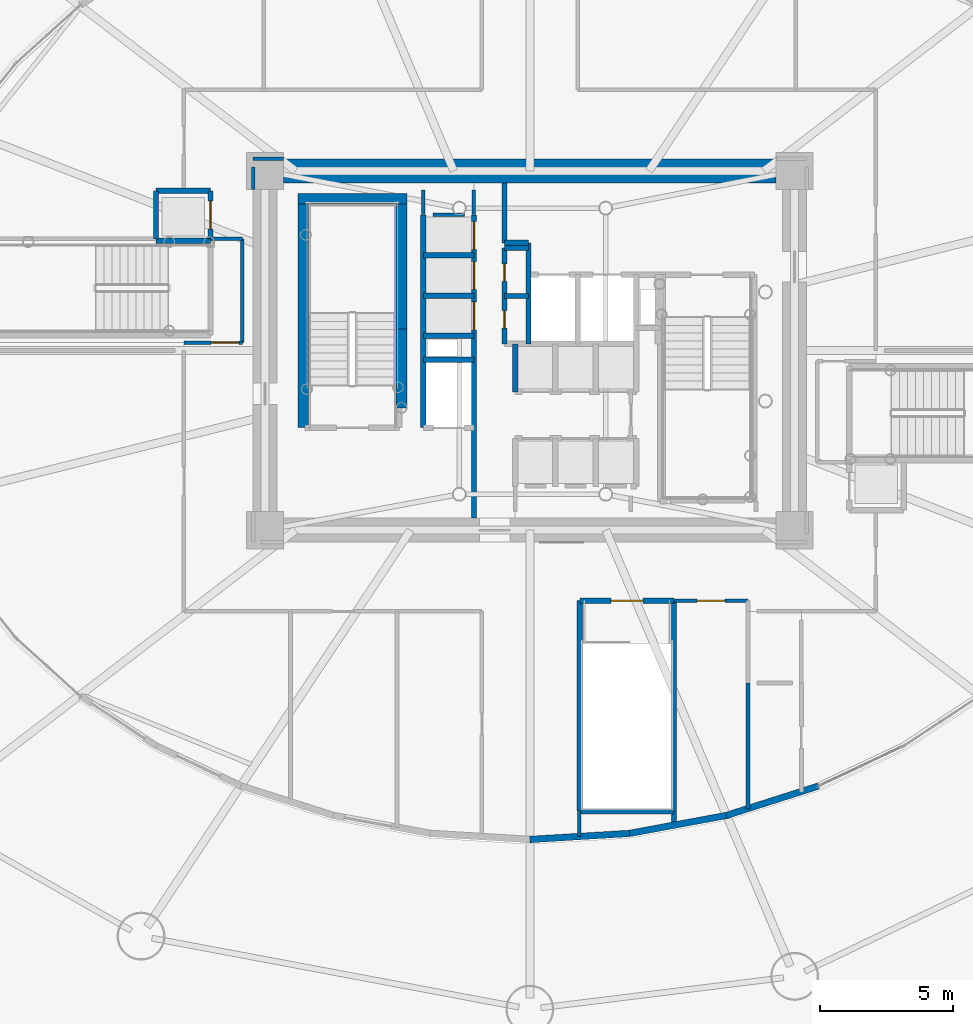
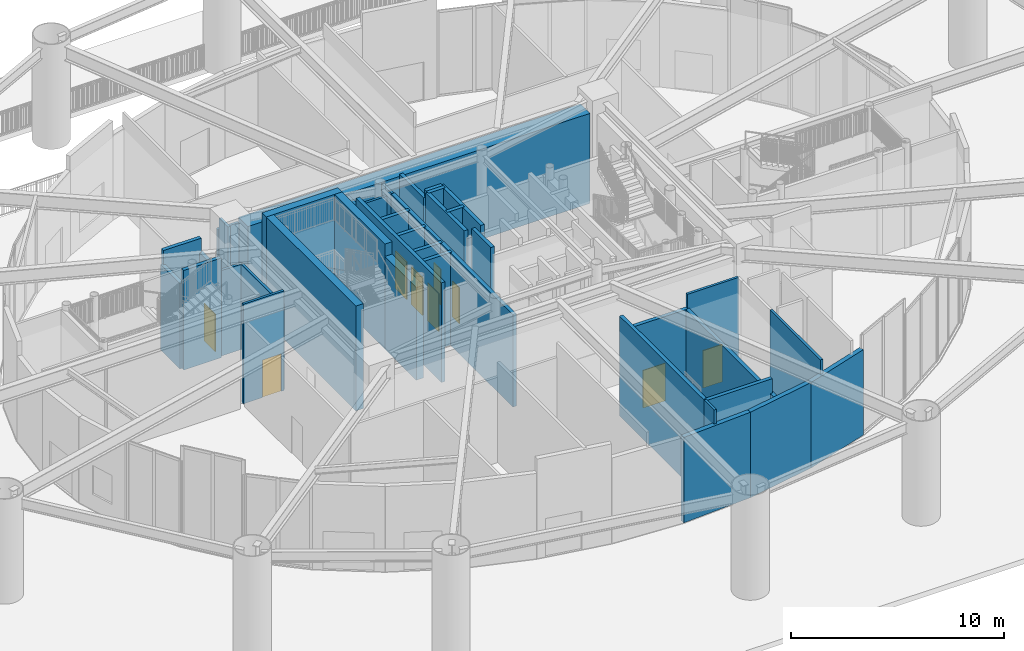
# One storey, part 30 of 46: 40 walls, 9 doors, 9 openings.
"""IFC4 building model written with IfcOpenShell, lengths in metres."""

from ifc_helpers import new_model, si_unit, direction, frame, frame_2d, origin, origin_2d, place, context, subcontext, project, spatial, rectangle, extrude, source, transform, mapped, material, layer, layer_set, type_object, element, fill, save


model = new_model("IFC4")

# Units and contexts
model_context = context("Model", 3, precision=1e-05, world=origin(), true_north=direction((0.0, 1.0)))
body_context = subcontext(model_context, "Body", "Model", "MODEL_VIEW")
ifc_project = project(units=[si_unit("LENGTHUNIT", "METRE"), si_unit("AREAUNIT", "SQUARE_METRE"), si_unit("VOLUMEUNIT", "CUBIC_METRE"), si_unit("PLANEANGLEUNIT", "RADIAN"), si_unit("MASSUNIT", "GRAM", prefix="KILO")], contexts=[model_context])

# Site, building, storey
site_placement = place(None, origin())
site = spatial("IfcSite", under=ifc_project, at=site_placement, CompositionType="ELEMENT")
building_placement = place(site_placement, origin())
building = spatial("IfcBuilding", under=site, at=building_placement, Name="Linh Dai School and Residence Tower", CompositionType="ELEMENT")
storey_placement = place(building_placement, origin())
storey = spatial("IfcBuildingStorey", under=building, at=storey_placement, Name="L00", CompositionType="ELEMENT", Elevation=0.0)

# Walls
ifc_material_1 = material(Name="Precast Concrete B45 (C35/45)", Category="concrete")
ifc_layer_1 = layer(ifc_material_1, 0.25)
ifc_layer_set_1 = layer_set([ifc_layer_1], Name="Precast Concrete B45 (C35/45)")
wall_type_1 = type_object("IfcWallType", Name="EW-TC-250", PredefinedType="SOLIDWALL", material=ifc_layer_set_1)
wall_1_placement = place(storey_placement, frame((39.7392578125, 8.851806640625, 0.0), z_axis=(0.0, 0.0, 1.0), x_axis=(-0.99816551411, -0.060544251933, 0.0)))
element("IfcWall", 1, at=wall_1_placement, inside=storey, type_object=wall_type_1, Name="L00 Terracotta Exterior Wall 31", PredefinedType="SOLIDWALL", context=body_context, shape_type="SweptSolid", body=[
    extrude(rectangle(XDim=3.74609375, YDim=0.25, at=frame_2d((1.873046875, 0.0))), origin(), (0.0, 0.0, 1.0), 4.885009765625),
])
wall_2_placement = place(storey_placement, frame((43.385986328125, 9.526611328125, 0.0), z_axis=(0.0, 0.0, 1.0), x_axis=(-0.983306878602, -0.181954891374, 0.0)))
element("IfcWall", 2, at=wall_2_placement, inside=storey, type_object=wall_type_1, Name="L00 Terracotta Exterior Wall 32", PredefinedType="SOLIDWALL", context=body_context, shape_type="SweptSolid", body=[
    extrude(rectangle(XDim=3.708740234375, YDim=0.25, at=frame_2d((1.8544921875, 0.0))), origin(), (0.0, 0.0, 1.0), 4.885009765625),
])
wall_3_placement = place(storey_placement, frame((46.85009765625, 10.6328125, 0.0), z_axis=(0.0, 0.0, 1.0), x_axis=(-0.952608721119, -0.304198330777, 0.0)))
element("IfcWall", 3, at=wall_3_placement, inside=storey, type_object=wall_type_1, Name="L00 Terracotta Exterior Wall 33", PredefinedType="SOLIDWALL", context=body_context, shape_type="SweptSolid", body=[
    extrude(rectangle(XDim=3.636474609375, YDim=0.25, at=frame_2d((1.818359375, 0.0))), origin(), (0.0, 0.0, 1.0), 4.885009765625),
])

# Wall, opening, door
ifc_material_2 = material(Name="Autoclaved Aerated Concrete Blockwork", Category="masonry")
ifc_layer_2 = layer(ifc_material_2, 0.135009765625)
ifc_layer_set_2 = layer_set([ifc_layer_2], Name="Autoclaved Aerated Concrete Blockwork")
wall_type_2 = type_object("IfcWallType", Name="IW-CORR-135-EI90", PredefinedType="PARTITIONING", material=ifc_layer_set_2)
wall_4_placement = place(storey_placement, frame((23.0, 27.300048828125, 0.0), z_axis=(0.0, 0.0, 1.0), x_axis=(1.0, 0.0, 0.0)))
wall_4 = element("IfcWall", 4, at=wall_4_placement, inside=storey, type_object=wall_type_2, Name="L00 Interior Partition Wall 009", PredefinedType="PARTITIONING", context=body_context, shape_type="SweptSolid", body=[
    extrude(rectangle(XDim=2.199951171875, YDim=0.135009765625, at=frame_2d((1.10009765625, 0.0))), origin(), (0.0, 0.0, 1.0), 5.699951171875),
])
opening_1_placement = place(wall_4_placement, frame((1.02099609375, 0.0, 0.0)))
opening_1 = element("IfcOpeningElement", 5, at=opening_1_placement, cuts=wall_4, Name="Opening D04", PredefinedType="OPENING", context=body_context, shape_type="SweptSolid", body=[
    extrude(rectangle(XDim=1.050048828125, YDim=2.14990234375, at=origin_2d()), frame((0.52490234375, 0.07763671875, 1.074951171875), z_axis=(0.0, -1.0, 0.0), x_axis=(1.0, 0.0, 0.0)), (0.0, 0.0, 1.0), 0.155029296875),
])
ifc_material_3 = material(Name="Acoustic Vision-Panel Timber Classroom Door", Category="wood")
door_type_1 = type_object("IfcDoorType", Name="DR-SCH-1050x2150-FD60S", OperationType="NOTDEFINED", PredefinedType="DOOR", material=ifc_material_3)
shared_shape_1 = source(origin(), body_context, "Body", "SweptSolid", [
    extrude(rectangle(XDim=1.050048828125, YDim=2.14990234375, at=origin_2d()), frame((0.52490234375, 0.02490234375, 1.074951171875), z_axis=(0.0, -1.0, 0.0), x_axis=(1.0, 0.0, 0.0)), (0.0, 0.0, 1.0), 0.050048828125),
])
door_1_placement = place(opening_1_placement, origin())
door_1 = element("IfcDoor", 6, at=door_1_placement, inside=storey, type_object=door_type_1, Name="L00 Protected Exit Stair STS1 Discharge Passage West Door", OperationType="SINGLE_SWING_LEFT", OverallHeight=2.14990234375, OverallWidth=1.050048828125, PredefinedType="DOOR", context=body_context, shape_type="MappedRepresentation", body=[
    mapped(shared_shape_1, transform((0.0, 0.0, 0.0), x_axis=(1.0, 0.0, 0.0), y_axis=(0.0, 1.0, 0.0), z_axis=(0.0, 0.0, 1.0), scale=1.0)),
])
fill(opening_1, door_1)

# Walls
wall_5_placement = place(storey_placement, frame((24.010009765625, 31.199951171875, 0.0), z_axis=(0.0, 0.0, 1.0), x_axis=(1.0, 0.0, 0.0)))
element("IfcWall", 7, at=wall_5_placement, inside=storey, type_object=wall_type_2, Name="L00 Interior Partition Wall 014", PredefinedType="PARTITIONING", context=body_context, shape_type="SweptSolid", body=[
    extrude(rectangle(XDim=1.18994140625, YDim=0.135009765625, at=frame_2d((0.594970703125, 0.0))), origin(), (0.0, 0.0, 1.0), 4.885009765625),
])
wall_6_placement = place(storey_placement, frame((25.199951171875, 27.300048828125, 0.0), z_axis=(0.0, 0.0, 1.0), x_axis=(0.0, 1.0, 0.0)))
element("IfcWall", 8, at=wall_6_placement, inside=storey, type_object=wall_type_2, Name="L00 Interior Partition Wall 015", PredefinedType="PARTITIONING", context=body_context, shape_type="SweptSolid", body=[
    extrude(rectangle(XDim=3.89990234375, YDim=0.135009765625, at=frame_2d((1.949951171875, 0.0))), origin(), (0.0, 0.0, 1.0), 4.885009765625),
])
wall_7_placement = place(storey_placement, frame((37.85009765625, 8.732177734375, 0.0), z_axis=(0.0, 0.0, 1.0), x_axis=(0.0, 1.0, 0.0)))
element("IfcWall", 9, at=wall_7_placement, inside=storey, type_object=wall_type_2, Name="L00 Interior Partition Wall 047", PredefinedType="PARTITIONING", context=body_context, shape_type="SweptSolid", body=[
    extrude(rectangle(XDim=0.94775390625, YDim=0.135009765625, at=frame_2d((0.473876953125, 0.0))), origin(), (0.0, 0.0, 1.0), 5.699951171875),
])

# Wall, opening, door
wall_8_placement = place(storey_placement, frame((41.429931640625, 17.60009765625, 0.0), z_axis=(0.0, 0.0, 1.0), x_axis=(1.0, 0.0, 0.0)))
wall_8 = element("IfcWall", 10, at=wall_8_placement, inside=storey, type_object=wall_type_2, Name="L00 Interior Partition Wall 061", PredefinedType="PARTITIONING", context=body_context, shape_type="SweptSolid", body=[
    extrude(rectangle(XDim=2.77001953125, YDim=0.135009765625, at=frame_2d((1.385009765625, 0.0))), origin(), (0.0, 0.0, 1.0), 5.699951171875),
])
opening_2_placement = place(wall_8_placement, frame((0.860107421875, 0.0, 0.0)))
opening_2 = element("IfcOpeningElement", 11, at=opening_2_placement, cuts=wall_8, Name="Opening D04", PredefinedType="OPENING", context=body_context, shape_type="SweptSolid", body=[
    extrude(rectangle(XDim=1.050048828125, YDim=2.14990234375, at=origin_2d()), frame((0.52490234375, 0.07763671875, 1.074951171875), z_axis=(0.0, -1.0, 0.0), x_axis=(1.0, 0.0, 0.0)), (0.0, 0.0, 1.0), 0.155029296875),
])
door_2_placement = place(opening_2_placement, origin())
door_2 = element("IfcDoor", 12, at=door_2_placement, inside=storey, type_object=door_type_1, Name="L00 Protected Basement Stair STB1 Discharge Passage South Door", OperationType="SINGLE_SWING_LEFT", OverallHeight=2.14990234375, OverallWidth=1.050048828125, PredefinedType="DOOR", context=body_context, shape_type="MappedRepresentation", body=[
    mapped(shared_shape_1, transform((0.0, 0.0, 0.0), x_axis=(1.0, 0.0, 0.0), y_axis=(0.0, 1.0, 0.0), z_axis=(0.0, 0.0, 1.0), scale=1.0)),
])
fill(opening_2, door_2)

# Walls
wall_9_placement = place(storey_placement, frame((44.199951171875, 9.78125, 0.0), z_axis=(0.0, 0.0, 1.0), x_axis=(0.0, 1.0, 0.0)))
element("IfcWall", 13, at=wall_9_placement, inside=storey, type_object=wall_type_2, Name="L00 Interior Partition Wall 062", PredefinedType="PARTITIONING", context=body_context, shape_type="SweptSolid", body=[
    extrude(rectangle(XDim=4.71875, YDim=0.135009765625, at=frame_2d((2.359375, 0.0))), origin(), (0.0, 0.0, 1.0), 5.699951171875),
])
wall_10_placement = place(storey_placement, frame((32.360107421875, 32.10009765625, 0.0), z_axis=(0.0, 0.0, 1.0), x_axis=(1.0, 0.0, 0.0)))
element("IfcWall", 14, at=wall_10_placement, inside=storey, type_object=wall_type_2, Name="L00 Interior Partition Wall 085", PredefinedType="PARTITIONING", context=body_context, shape_type="SweptSolid", body=[
    extrude(rectangle(XDim=1.179931640625, YDim=0.135009765625, at=frame_2d((0.58984375, 0.0))), origin(), (0.0, 0.0, 1.0), 5.284912109375),
])
wall_11_placement = place(storey_placement, frame((32.0, 33.0400390625, 0.0), z_axis=(0.0, 0.0, 1.0), x_axis=(0.0, -1.0, 0.0)))
element("IfcWall", 15, at=wall_11_placement, inside=storey, type_object=wall_type_2, Name="L00 Interior Partition Wall 087", PredefinedType="PARTITIONING", context=body_context, shape_type="SweptSolid", body=[
    extrude(rectangle(XDim=0.929931640625, YDim=0.135009765625, at=frame_2d((0.46484375, 0.0))), origin(), (0.0, 0.0, 1.0), 5.235107421875),
])
wall_12_placement = place(storey_placement, frame((33.89990234375, 32.110107421875, 0.0), z_axis=(0.0, 0.0, 1.0), x_axis=(0.0, 1.0, 0.0)))
element("IfcWall", 16, at=wall_12_placement, inside=storey, type_object=wall_type_2, Name="L00 Interior Partition Wall 090", PredefinedType="PARTITIONING", context=body_context, shape_type="SweptSolid", body=[
    extrude(rectangle(XDim=0.929931640625, YDim=0.135009765625, at=frame_2d((0.46484375, 0.0))), origin(), (0.0, 0.0, 1.0), 5.284912109375),
])
wall_13_placement = place(storey_placement, frame((26.739990234375, 34.199951171875, 0.0), z_axis=(0.0, 0.0, 1.0), x_axis=(-1.0, 0.0, 0.0)))
element("IfcWall", 17, at=wall_13_placement, inside=storey, type_object=wall_type_2, Name="L00 Interior Partition Wall 096", PredefinedType="PARTITIONING", context=body_context, shape_type="SweptSolid", body=[
    extrude(rectangle(XDim=1.139892578125, YDim=0.135009765625, at=frame_2d((0.56982421875, 0.0))), origin(), (0.0, 0.0, 1.0), 4.885009765625),
])
wall_14_placement = place(storey_placement, frame((25.60009765625, 33.892578125, 0.0), z_axis=(0.0, 0.0, 1.0), x_axis=(0.0, -1.0, 0.0)))
element("IfcWall", 18, at=wall_14_placement, inside=storey, type_object=wall_type_2, Name="L00 Interior Partition Wall 097", PredefinedType="PARTITIONING", context=body_context, shape_type="SweptSolid", body=[
    extrude(rectangle(XDim=0.83251953125, YDim=0.135009765625, at=frame_2d((0.416259765625, 0.0))), origin(), (0.0, 0.0, 1.0), 5.699951171875),
])
ifc_material_4 = material(Name="Concrete B45 (C35/45)", Category="concrete")
ifc_layer_3 = layer(ifc_material_4, 0.199951171875)
ifc_layer_set_3 = layer_set([ifc_layer_3], Name="Concrete B45 (C35/45)")
wall_type_3 = type_object("IfcWallType", Name="IW-SHAFT-200-EI120", PredefinedType="PARTITIONING", material=ifc_layer_set_3)
wall_15_placement = place(storey_placement, frame((21.9599609375, 31.1201171875, 0.0), z_axis=(0.0, 0.0, 1.0), x_axis=(1.0, 0.0, 0.0)))
element("IfcWall", 19, at=wall_15_placement, inside=storey, type_object=wall_type_3, Name="L00 Interior Partition Wall 004", PredefinedType="PARTITIONING", context=body_context, shape_type="SweptSolid", body=[
    extrude(rectangle(XDim=2.0400390625, YDim=0.199951171875, at=frame_2d((1.02001953125, 0.0))), origin(), (0.0, 0.0, 1.0), 5.699951171875),
])
wall_16_placement = place(storey_placement, frame((21.949951171875, 31.199951171875, 0.0), z_axis=(0.0, 0.0, 1.0), x_axis=(0.0, 1.0, 0.0)))
element("IfcWall", 20, at=wall_16_placement, inside=storey, type_object=wall_type_3, Name="L00 Interior Partition Wall 005", PredefinedType="PARTITIONING", context=body_context, shape_type="SweptSolid", body=[
    extrude(rectangle(XDim=1.800048828125, YDim=0.199951171875, at=frame_2d((0.89990234375, 0.0))), origin(), (0.0, 0.0, 1.0), 4.885009765625),
])
wall_17_placement = place(storey_placement, frame((21.949951171875, 33.0, 0.0), z_axis=(0.0, 0.0, 1.0), x_axis=(1.0, 0.0, 0.0)))
element("IfcWall", 21, at=wall_17_placement, inside=storey, type_object=wall_type_3, Name="L00 Interior Partition Wall 006", PredefinedType="PARTITIONING", context=body_context, shape_type="SweptSolid", body=[
    extrude(rectangle(XDim=2.050048828125, YDim=0.199951171875, at=frame_2d((1.02490234375, 0.0))), origin(), (0.0, 0.0, 1.0), 5.699951171875),
])

# Wall, opening, door
wall_18_placement = place(storey_placement, frame((24.0, 31.199951171875, 0.0), z_axis=(0.0, 0.0, 1.0), x_axis=(0.0, 1.0, 0.0)))
wall_18 = element("IfcWall", 22, at=wall_18_placement, inside=storey, type_object=wall_type_3, Name="L00 Interior Partition Wall 013", PredefinedType="PARTITIONING", context=body_context, shape_type="SweptSolid", body=[
    extrude(rectangle(XDim=1.800048828125, YDim=0.199951171875, at=frame_2d((0.89990234375, 0.0))), origin(), (0.0, 0.0, 1.0), 4.885009765625),
])
opening_3_placement = place(wall_18_placement, frame((0.375, 0.0, 0.0)))
opening_3 = element("IfcOpeningElement", 23, at=opening_3_placement, cuts=wall_18, Name="Opening LD-SL1", PredefinedType="OPENING", context=body_context, shape_type="SweptSolid", body=[
    extrude(rectangle(XDim=1.050048828125, YDim=2.14990234375, at=origin_2d()), frame((0.52490234375, 0.10986328125, 1.074951171875), z_axis=(0.0, -1.0, 0.0), x_axis=(1.0, 0.0, 0.0)), (0.0, 0.0, 1.0), 0.219970703125),
])
ifc_material_5 = material(Name="Brushed Stainless Steel Lift Landing Door", Category="steel")
door_type_2 = type_object("IfcDoorType", Name="DR-LD-PASS-1050x2150", OperationType="DOUBLE_DOOR_SLIDING", PredefinedType="USERDEFINED", material=ifc_material_5)
shared_shape_2 = source(origin(), body_context, "Body", "SweptSolid", [
    extrude(rectangle(XDim=1.050048828125, YDim=2.14990234375, at=origin_2d()), frame((0.52490234375, 0.02490234375, 1.074951171875), z_axis=(0.0, -1.0, 0.0), x_axis=(1.0, 0.0, 0.0)), (0.0, 0.0, 1.0), 0.050048828125),
])
door_3_placement = place(opening_3_placement, origin())
door_3 = element("IfcDoor", 24, at=door_3_placement, inside=storey, type_object=door_type_2, Name="L00 Lift SL1 Sliding Landing Door", ObjectType="LANDING DOOR", OperationType="DOUBLE_DOOR_SLIDING", OverallHeight=2.14990234375, OverallWidth=1.050048828125, PredefinedType="USERDEFINED", context=body_context, shape_type="MappedRepresentation", body=[
    mapped(shared_shape_2, transform((0.0, 0.0, 0.0), x_axis=(1.0, 0.0, 0.0), y_axis=(0.0, 1.0, 0.0), z_axis=(0.0, 0.0, 1.0), scale=1.0)),
])
fill(opening_3, door_3)

# Walls
wall_19_placement = place(storey_placement, frame((32.0, 24.10009765625, 0.0), z_axis=(0.0, 0.0, 1.0), x_axis=(0.0, 1.0, 0.0)))
element("IfcWall", 25, at=wall_19_placement, inside=storey, type_object=wall_type_3, Name="L00 Interior Partition Wall 021", PredefinedType="PARTITIONING", context=body_context, shape_type="SweptSolid", body=[
    extrude(rectangle(XDim=8.0, YDim=0.199951171875, at=frame_2d((4.0, 0.0))), origin(), (0.0, 0.0, 1.0), 5.699951171875),
])
for number, where, z_axis, x_axis, name in (
    (26, (32.0, 26.64990234375, 0.0), (0.0, 0.0, 1.0), (1.0, 0.0, 0.0), "L00 Interior Partition Wall 023"),
    (27, (32.0, 27.550048828125, 0.0), (0.0, 0.0, 1.0), (1.0, 0.0, 0.0), "L00 Interior Partition Wall 024"),
    (28, (32.0, 29.06005859375, 0.0), (0.0, 0.0, 1.0), (1.0, 0.0, 0.0), "L00 Interior Partition Wall 025"),
    (29, (32.0, 30.580078125, 0.0), (0.0, 0.0, 1.0), (1.0, 0.0, 0.0), "L00 Interior Partition Wall 026"),
):
    element("IfcWall", number, at=place(storey_placement, frame(where, z_axis=z_axis, x_axis=x_axis)), inside=storey, type_object=wall_type_3, Name=name, PredefinedType="PARTITIONING", context=body_context, shape_type="SweptSolid", body=[
        extrude(rectangle(XDim=1.89990234375, YDim=0.199951171875, at=frame_2d((0.949951171875, 0.0))), origin(), (0.0, 0.0, 1.0), 5.284912109375),
    ])

# Wall, openings, doors
wall_20_placement = place(storey_placement, frame((33.89990234375, 20.699951171875, 0.0), z_axis=(0.0, 0.0, 1.0), x_axis=(0.0, 1.0, 0.0)))
wall_20 = element("IfcWall", 30, at=wall_20_placement, inside=storey, type_object=wall_type_3, Name="L00 Interior Partition Wall 027", PredefinedType="PARTITIONING", context=body_context, shape_type="SweptSolid", body=[
    extrude(rectangle(XDim=11.400146484375, YDim=0.199951171875, at=frame_2d((5.7001953125, 0.0))), origin(), (0.0, 0.0, 1.0), 5.284912109375),
])
opening_4_placement = place(wall_20_placement, frame((7.080078125, 0.0, 0.0)))
opening_4 = element("IfcOpeningElement", 31, at=opening_4_placement, cuts=wall_20, Name="Opening LD-PL4", PredefinedType="OPENING", context=body_context, shape_type="SweptSolid", body=[
    extrude(rectangle(XDim=1.050048828125, YDim=2.14990234375, at=origin_2d()), frame((0.52490234375, 0.10986328125, 1.074951171875), z_axis=(0.0, -1.0, 0.0), x_axis=(1.0, 0.0, 0.0)), (0.0, 0.0, 1.0), 0.219970703125),
])
opening_5_placement = place(wall_20_placement, frame((8.594970703125, 0.0, 0.0)))
opening_5 = element("IfcOpeningElement", 32, at=opening_5_placement, cuts=wall_20, Name="Opening LD-PL5", PredefinedType="OPENING", context=body_context, shape_type="SweptSolid", body=[
    extrude(rectangle(XDim=1.050048828125, YDim=2.14990234375, at=origin_2d()), frame((0.52490234375, 0.10986328125, 1.074951171875), z_axis=(0.0, -1.0, 0.0), x_axis=(1.0, 0.0, 0.0)), (0.0, 0.0, 1.0), 0.219970703125),
])
opening_6_placement = place(wall_20_placement, frame((10.094970703125, 0.0, 0.0)))
opening_6 = element("IfcOpeningElement", 33, at=opening_6_placement, cuts=wall_20, Name="Opening LD-PL6", PredefinedType="OPENING", context=body_context, shape_type="SweptSolid", body=[
    extrude(rectangle(XDim=1.050048828125, YDim=2.14990234375, at=origin_2d()), frame((0.52490234375, 0.10986328125, 1.074951171875), z_axis=(0.0, -1.0, 0.0), x_axis=(1.0, 0.0, 0.0)), (0.0, 0.0, 1.0), 0.219970703125),
])
door_4_placement = place(opening_4_placement, origin())
door_4 = element("IfcDoor", 34, at=door_4_placement, inside=storey, type_object=door_type_2, Name="L00 Lift PL4 Sliding Landing Door", ObjectType="LANDING DOOR", OperationType="DOUBLE_DOOR_SLIDING", OverallHeight=2.14990234375, OverallWidth=1.050048828125, PredefinedType="USERDEFINED", context=body_context, shape_type="MappedRepresentation", body=[
    mapped(shared_shape_2, transform((0.0, 0.0, 0.0), x_axis=(1.0, 0.0, 0.0), y_axis=(0.0, 1.0, 0.0), z_axis=(0.0, 0.0, 1.0), scale=1.0)),
])
fill(opening_4, door_4)
door_5_placement = place(opening_5_placement, origin())
door_5 = element("IfcDoor", 35, at=door_5_placement, inside=storey, type_object=door_type_2, Name="L00 Lift PL5 Sliding Landing Door", ObjectType="LANDING DOOR", OperationType="DOUBLE_DOOR_SLIDING", OverallHeight=2.14990234375, OverallWidth=1.050048828125, PredefinedType="USERDEFINED", context=body_context, shape_type="MappedRepresentation", body=[
    mapped(shared_shape_2, transform((0.0, 0.0, 0.0), x_axis=(1.0, 0.0, 0.0), y_axis=(0.0, 1.0, 0.0), z_axis=(0.0, 0.0, 1.0), scale=1.0)),
])
fill(opening_5, door_5)
door_6_placement = place(opening_6_placement, origin())
door_6 = element("IfcDoor", 36, at=door_6_placement, inside=storey, type_object=door_type_2, Name="L00 Lift PL6 Sliding Landing Door", ObjectType="LANDING DOOR", OperationType="DOUBLE_DOOR_SLIDING", OverallHeight=2.14990234375, OverallWidth=1.050048828125, PredefinedType="USERDEFINED", context=body_context, shape_type="MappedRepresentation", body=[
    mapped(shared_shape_2, transform((0.0, 0.0, 0.0), x_axis=(1.0, 0.0, 0.0), y_axis=(0.0, 1.0, 0.0), z_axis=(0.0, 0.0, 1.0), scale=1.0)),
])
fill(opening_6, door_6)

wall_21_placement = place(storey_placement, frame((35.050048828125, 27.25, 0.0), z_axis=(0.0, 0.0, 1.0), x_axis=(0.0, 1.0, 0.0)))
wall_21 = element("IfcWall", 37, at=wall_21_placement, inside=storey, type_object=wall_type_3, Name="L00 Interior Partition Wall 030", PredefinedType="PARTITIONING", context=body_context, shape_type="SweptSolid", body=[
    extrude(rectangle(XDim=3.60009765625, YDim=0.199951171875, at=frame_2d((1.800048828125, 0.0))), origin(), (0.0, 0.0, 1.0), 5.699951171875),
])
opening_7_placement = place(wall_21_placement, frame((0.590087890625, 0.0, 0.0)))
opening_7 = element("IfcOpeningElement", 38, at=opening_7_placement, cuts=wall_21, Name="Opening AD1", PredefinedType="OPENING", context=body_context, shape_type="SweptSolid", body=[
    extrude(rectangle(XDim=0.659912109375, YDim=2.050048828125, at=origin_2d()), frame((0.330078125, 0.10986328125, 1.02490234375), z_axis=(0.0, -1.0, 0.0), x_axis=(1.0, 0.0, 0.0)), (0.0, 0.0, 1.0), 0.219970703125),
])
opening_8_placement = place(wall_21_placement, frame((2.35009765625, 0.0, 0.0)))
opening_8 = element("IfcOpeningElement", 39, at=opening_8_placement, cuts=wall_21, Name="Opening AD1", PredefinedType="OPENING", context=body_context, shape_type="SweptSolid", body=[
    extrude(rectangle(XDim=0.659912109375, YDim=2.050048828125, at=origin_2d()), frame((0.330078125, 0.10986328125, 1.02490234375), z_axis=(0.0, -1.0, 0.0), x_axis=(1.0, 0.0, 0.0)), (0.0, 0.0, 1.0), 0.219970703125),
])
ifc_material_6 = material(Name="Fire-Rated Steel Riser Access Door", Category="steel")
door_type_3 = type_object("IfcDoorType", Name="DR-ACC-660x2050-FD90S", OperationType="NOTDEFINED", PredefinedType="USERDEFINED", material=ifc_material_6)
shared_shape_3 = source(origin(), body_context, "Body", "SweptSolid", [
    extrude(rectangle(XDim=0.659912109375, YDim=2.050048828125, at=origin_2d()), frame((0.330078125, 0.02490234375, 1.02490234375), z_axis=(0.0, -1.0, 0.0), x_axis=(1.0, 0.0, 0.0)), (0.0, 0.0, 1.0), 0.050048828125),
])
door_7_placement = place(opening_7_placement, origin())
door_7 = element("IfcDoor", 40, at=door_7_placement, inside=storey, type_object=door_type_3, Name="L00 Telecom and Data Riser Access Door", ObjectType="ACCESS DOOR", OperationType="SINGLE_SWING_RIGHT", OverallHeight=2.050048828125, OverallWidth=0.659912109375, PredefinedType="USERDEFINED", context=body_context, shape_type="MappedRepresentation", body=[
    mapped(shared_shape_3, transform((0.0, 0.0, 0.0), x_axis=(1.0, 0.0, 0.0), y_axis=(0.0, 1.0, 0.0), z_axis=(0.0, 0.0, 1.0), scale=1.0)),
])
fill(opening_7, door_7)
door_8_placement = place(opening_8_placement, origin())
door_8 = element("IfcDoor", 41, at=door_8_placement, inside=storey, type_object=door_type_3, Name="L00 Mechanical and Plumbing Riser Access Door", ObjectType="ACCESS DOOR", OperationType="SINGLE_SWING_LEFT", OverallHeight=2.050048828125, OverallWidth=0.659912109375, PredefinedType="USERDEFINED", context=body_context, shape_type="MappedRepresentation", body=[
    mapped(shared_shape_3, transform((0.0, 0.0, 0.0), x_axis=(1.0, 0.0, 0.0), y_axis=(0.0, 1.0, 0.0), z_axis=(0.0, 0.0, 1.0), scale=1.0)),
])
fill(opening_8, door_8)

# Walls
for number, where, z_axis, x_axis, name in (
    (42, (35.050048828125, 29.050048828125, 0.0), (0.0, 0.0, 1.0), (1.0, 0.0, 0.0), "L00 Interior Partition Wall 032"),
    (43, (35.050048828125, 30.85009765625, 0.0), (0.0, 0.0, 1.0), (1.0, 0.0, 0.0), "L00 Interior Partition Wall 033"),
):
    element("IfcWall", number, at=place(storey_placement, frame(where, z_axis=z_axis, x_axis=x_axis)), inside=storey, type_object=wall_type_3, Name=name, PredefinedType="PARTITIONING", context=body_context, shape_type="SweptSolid", body=[
        extrude(rectangle(XDim=0.89990234375, YDim=0.199951171875, at=frame_2d((0.449951171875, 0.0))), origin(), (0.0, 0.0, 1.0), 5.699951171875),
    ])
wall_22_placement = place(storey_placement, frame((35.050048828125, 31.050048828125, 0.0), z_axis=(0.0, 0.0, 1.0), x_axis=(0.0, 1.0, 0.0)))
element("IfcWall", 44, at=wall_22_placement, inside=storey, type_object=wall_type_3, Name="L00 Interior Partition Wall 034", PredefinedType="PARTITIONING", context=body_context, shape_type="SweptSolid", body=[
    extrude(rectangle(XDim=2.25, YDim=0.199951171875, at=frame_2d((1.125, 0.0))), origin(), (0.0, 0.0, 1.0), 5.284912109375),
])
wall_23_placement = place(storey_placement, frame((35.050048828125, 31.050048828125, 0.0), z_axis=(0.0, 0.0, 1.0), x_axis=(1.0, 0.0, 0.0)))
element("IfcWall", 45, at=wall_23_placement, inside=storey, type_object=wall_type_3, Name="L00 Interior Partition Wall 035", PredefinedType="PARTITIONING", context=body_context, shape_type="SweptSolid", body=[
    extrude(rectangle(XDim=0.89990234375, YDim=0.199951171875, at=frame_2d((0.449951171875, 0.0))), origin(), (0.0, 0.0, 1.0), 5.699951171875),
])
wall_24_placement = place(storey_placement, frame((35.449951171875, 25.449951171875, 0.0), z_axis=(0.0, 0.0, 1.0), x_axis=(0.0, 1.0, 0.0)))
element("IfcWall", 46, at=wall_24_placement, inside=storey, type_object=wall_type_3, Name="L00 Interior Partition Wall 038", PredefinedType="PARTITIONING", context=body_context, shape_type="SweptSolid", body=[
    extrude(rectangle(XDim=1.800048828125, YDim=0.199951171875, at=frame_2d((0.89990234375, 0.0))), origin(), (0.0, 0.0, 1.0), 5.699951171875),
])
wall_25_placement = place(storey_placement, frame((35.949951171875, 27.25, 0.0), z_axis=(0.0, 0.0, 1.0), x_axis=(0.0, 1.0, 0.0)))
element("IfcWall", 47, at=wall_25_placement, inside=storey, type_object=wall_type_3, Name="L00 Interior Partition Wall 040", PredefinedType="PARTITIONING", context=body_context, shape_type="SweptSolid", body=[
    extrude(rectangle(XDim=3.800048828125, YDim=0.199951171875, at=frame_2d((1.89990234375, 0.0))), origin(), (0.0, 0.0, 1.0), 5.699951171875),
])
wall_26_placement = place(storey_placement, frame((37.8798828125, 9.68994140625, 0.0), z_axis=(0.0, 0.0, 1.0), x_axis=(0.0, 1.0, 0.0)))
element("IfcWall", 48, at=wall_26_placement, inside=storey, type_object=wall_type_3, Name="L00 Interior Partition Wall 048", PredefinedType="PARTITIONING", context=body_context, shape_type="SweptSolid", body=[
    extrude(rectangle(XDim=7.91015625, YDim=0.199951171875, at=frame_2d((3.955078125, 0.0))), origin(), (0.0, 0.0, 1.0), 5.699951171875),
])
wall_27_placement = place(storey_placement, frame((37.8798828125, 9.679931640625, 0.0), z_axis=(0.0, 0.0, 1.0), x_axis=(1.0, 0.0, 0.0)))
element("IfcWall", 49, at=wall_27_placement, inside=storey, type_object=wall_type_3, Name="L00 Interior Partition Wall 049", PredefinedType="PARTITIONING", context=body_context, shape_type="SweptSolid", body=[
    extrude(rectangle(XDim=3.5400390625, YDim=0.199951171875, at=frame_2d((1.77001953125, 0.0))), origin(), (0.0, 0.0, 1.0), 5.699951171875),
])

# Wall, opening, door
wall_28_placement = place(storey_placement, frame((37.8798828125, 17.60009765625, 0.0), z_axis=(0.0, 0.0, 1.0), x_axis=(1.0, 0.0, 0.0)))
wall_28 = element("IfcWall", 50, at=wall_28_placement, inside=storey, type_object=wall_type_3, Name="L00 Interior Partition Wall 050", PredefinedType="PARTITIONING", context=body_context, shape_type="SweptSolid", body=[
    extrude(rectangle(XDim=3.5400390625, YDim=0.199951171875, at=frame_2d((1.77001953125, 0.0))), origin(), (0.0, 0.0, 1.0), 4.885009765625),
])
opening_9_placement = place(wall_28_placement, frame((1.169921875, 0.0, 0.0)))
opening_9 = element("IfcOpeningElement", 51, at=opening_9_placement, cuts=wall_28, Name="Opening D01", PredefinedType="OPENING", context=body_context, shape_type="SweptSolid", body=[
    extrude(rectangle(XDim=1.199951171875, YDim=2.14990234375, at=origin_2d()), frame((0.60009765625, 0.10986328125, 1.074951171875), z_axis=(0.0, -1.0, 0.0), x_axis=(1.0, 0.0, 0.0)), (0.0, 0.0, 1.0), 0.219970703125),
])
ifc_material_7 = material(Name="Fire-Rated Steel Door Leaf", Category="steel")
door_type_4 = type_object("IfcDoorType", Name="DR-STAIR-1200x2150-FD90S", OperationType="NOTDEFINED", PredefinedType="DOOR", material=ifc_material_7)
shared_shape_4 = source(origin(), body_context, "Body", "SweptSolid", [
    extrude(rectangle(XDim=1.199951171875, YDim=2.14990234375, at=origin_2d()), frame((0.60009765625, 0.02490234375, 1.074951171875), z_axis=(0.0, -1.0, 0.0), x_axis=(1.0, 0.0, 0.0)), (0.0, 0.0, 1.0), 0.050048828125),
])
door_9_placement = place(opening_9_placement, origin())
door_9 = element("IfcDoor", 52, at=door_9_placement, inside=storey, type_object=door_type_4, Name="L00 Exit Stair STB1 Door", OperationType="SINGLE_SWING_LEFT", OverallHeight=2.14990234375, OverallWidth=1.199951171875, PredefinedType="DOOR", context=body_context, shape_type="MappedRepresentation", body=[
    mapped(shared_shape_4, transform((0.0, 0.0, 0.0), x_axis=(1.0, 0.0, 0.0), y_axis=(0.0, 1.0, 0.0), z_axis=(0.0, 0.0, 1.0), scale=1.0)),
])
fill(opening_9, door_9)

# Walls
wall_29_placement = place(storey_placement, frame((41.419921875, 9.15771484375, 0.0), z_axis=(0.0, 0.0, 1.0), x_axis=(0.0, 1.0, 0.0)))
element("IfcWall", 53, at=wall_29_placement, inside=storey, type_object=wall_type_3, Name="L00 Interior Partition Wall 060", PredefinedType="PARTITIONING", context=body_context, shape_type="SweptSolid", body=[
    extrude(rectangle(XDim=8.4423828125, YDim=0.199951171875, at=frame_2d((4.22119140625, 0.0))), origin(), (0.0, 0.0, 1.0), 4.885009765625),
])
ifc_layer_4 = layer(ifc_material_4, 0.39990234375)
ifc_layer_set_4 = layer_set([ifc_layer_4], Name="Concrete B45 (C35/45)")
wall_type_4 = type_object("IfcWallType", Name="WL-CORE400", PredefinedType="SHEAR", material=ifc_layer_set_4)
wall_30_placement = place(storey_placement, frame((27.47998046875, 24.10009765625, 0.0), z_axis=(0.0, 0.0, 1.0), x_axis=(0.0, 1.0, 0.0)))
element("IfcWall", 54, at=wall_30_placement, inside=storey, type_object=wall_type_4, Name="L00 Core Stair ST1 Bearing Wall W", PredefinedType="SHEAR", context=body_context, shape_type="SweptSolid", body=[
    extrude(rectangle(XDim=8.599853515625, YDim=0.39990234375, at=frame_2d((4.2998046875, 0.0))), origin(), (0.0, 0.0, 1.0), 6.0),
])
wall_31_placement = place(storey_placement, frame((31.179931640625, 27.800048828125, 0.0), z_axis=(0.0, 0.0, 1.0), x_axis=(0.0, 1.0, 0.0)))
element("IfcWall", 55, at=wall_31_placement, inside=storey, type_object=wall_type_4, Name="L00 Core Stair ST1 Bearing Wall E", PredefinedType="SHEAR", context=body_context, shape_type="SweptSolid", body=[
    extrude(rectangle(XDim=4.89990234375, YDim=0.39990234375, at=frame_2d((2.449951171875, 0.0))), origin(), (0.0, 0.0, 1.0), 6.0),
])
wall_32_placement = place(storey_placement, frame((27.280029296875, 32.699951171875, 0.0), z_axis=(0.0, 0.0, 1.0), x_axis=(1.0, 0.0, 0.0)))
element("IfcWall", 56, at=wall_32_placement, inside=storey, type_object=wall_type_4, Name="L00 Core Stair ST1 Bearing Wall N", PredefinedType="SHEAR", context=body_context, shape_type="SweptSolid", body=[
    extrude(rectangle(XDim=4.099853515625, YDim=0.39990234375, at=frame_2d((2.0498046875, 0.0))), origin(), (0.0, 0.0, 1.0), 6.0),
])
wall_33_placement = place(storey_placement, frame((31.179931640625, 24.85009765625, 0.0), z_axis=(0.0, 0.0, 1.0), x_axis=(0.0, 1.0, 0.0)))
element("IfcWall", 57, at=wall_33_placement, inside=storey, type_object=wall_type_4, Name="L00 Internal Core Shear Wall IW", PredefinedType="SHEAR", context=body_context, shape_type="SweptSolid", body=[
    extrude(rectangle(XDim=2.949951171875, YDim=0.39990234375, at=frame_2d((1.47509765625, 0.0))), origin(), (0.0, 0.0, 1.0), 5.300048828125),
])
ifc_material_8 = material(Name="Concrete B60 (C50/60)", Category="concrete")
ifc_layer_5 = layer(ifc_material_8, 0.89990234375)
ifc_layer_set_5 = layer_set([ifc_layer_5], Name="Concrete B60 (C50/60)")
wall_type_5 = type_object("IfcWallType", Name="WL-CORE900", PredefinedType="SHEAR", material=ifc_layer_set_5)
wall_34_placement = place(storey_placement, frame((26.75, 33.75, 0.0), z_axis=(0.0, 0.0, 1.0), x_axis=(1.0, 0.0, 0.0)))
element("IfcWall", 58, at=wall_34_placement, inside=storey, type_object=wall_type_5, Name="L00 Central Core Shear Wall N", PredefinedType="SHEAR", context=body_context, shape_type="SweptSolid", body=[
    extrude(rectangle(XDim=18.5, YDim=0.89990234375, at=frame_2d((9.25, 0.0))), origin(), (0.0, 0.0, 1.0), 5.14990234375),
])

save(model, "model.ifc")
